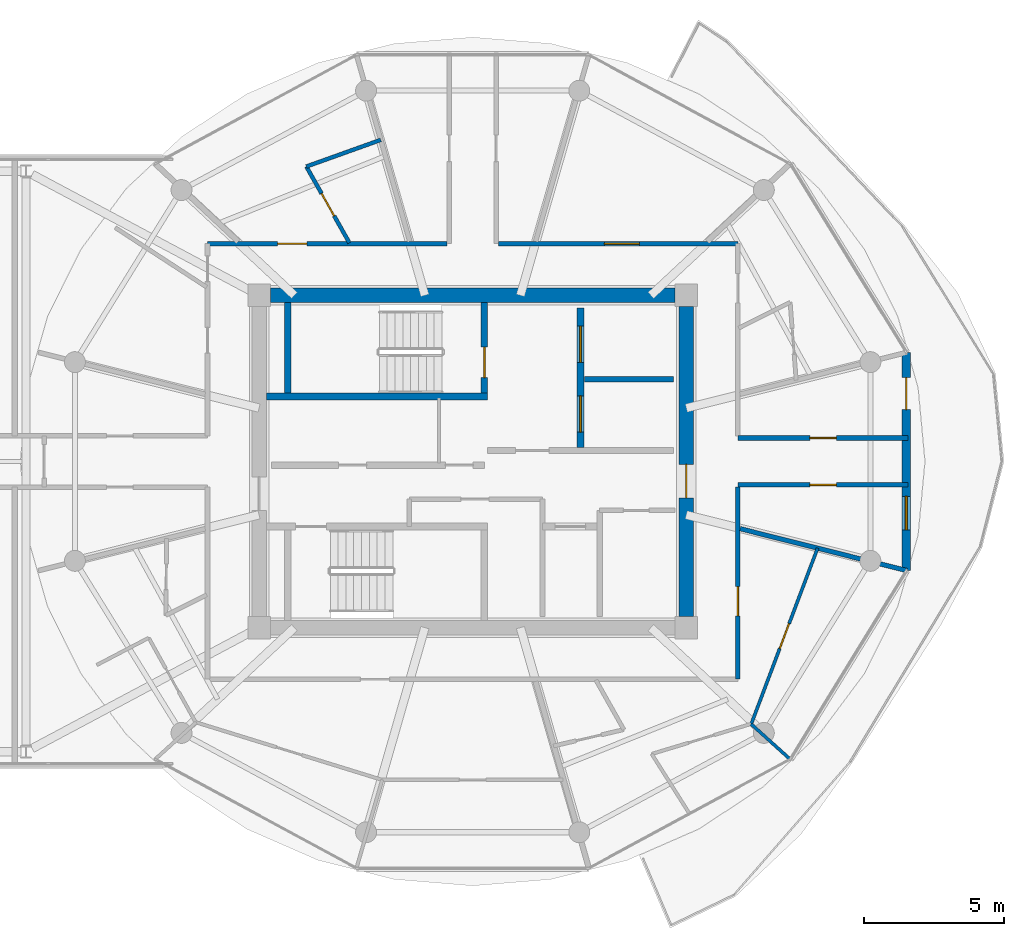
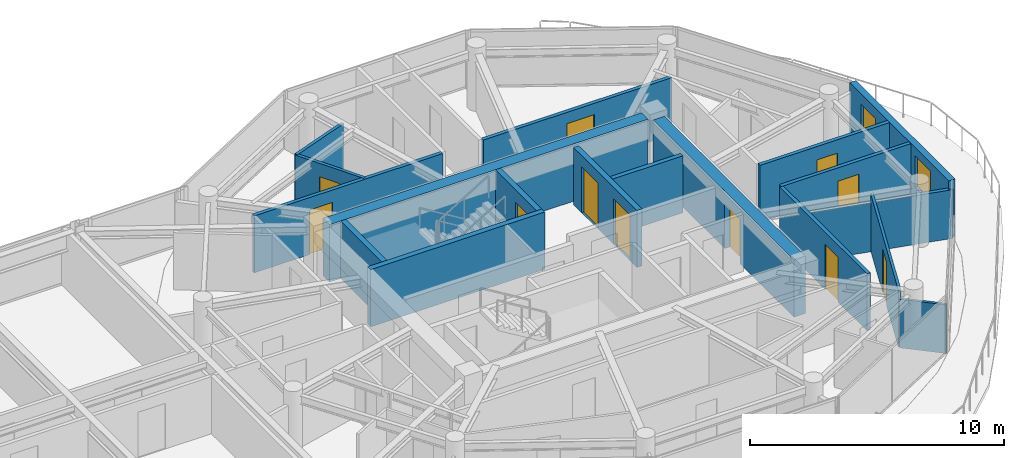
# One storey, part 19 of 24: 18 walls, 12 doors, 1 window, 13 openings.
"""IFC4 building model written with IfcOpenShell, lengths in metres."""

from ifc_helpers import new_model, si_unit, direction, frame, frame_2d, origin, place, context, subcontext, project, spatial, rectangle, extrude, source, transform, mapped, material, layer, layer_set, type_object, type_shapes, element, fill, save


model = new_model("IFC4")

# Units and contexts
model_context = context("Model", 3, precision=1e-05, world=origin(), true_north=direction((0.0, 1.0)))
body_context = subcontext(model_context, "Body", "Model", "MODEL_VIEW")
ifc_project = project(units=[si_unit("LENGTHUNIT", "METRE"), si_unit("AREAUNIT", "SQUARE_METRE"), si_unit("VOLUMEUNIT", "CUBIC_METRE"), si_unit("PLANEANGLEUNIT", "RADIAN"), si_unit("MASSUNIT", "GRAM", prefix="KILO")], contexts=[model_context])

# Site, building, storey
site_placement = place(None, origin())
site = spatial("IfcSite", under=ifc_project, at=site_placement, CompositionType="ELEMENT")
building_placement = place(site_placement, origin())
building = spatial("IfcBuilding", under=site, at=building_placement, Name="Norrkilde Senior Care Towers", CompositionType="ELEMENT")
storey_placement = place(building_placement, frame((0.0, 0.0, 213.89990234375)))
storey = spatial("IfcBuildingStorey", under=building, at=storey_placement, Name="L66", CompositionType="ELEMENT", Elevation=213.89990234375)

# Wall
ifc_material_1 = material(Name="Concrete C50/60", Category="concrete")
ifc_layer_1 = layer(ifc_material_1, 0.52001953125)
ifc_layer_set_1 = layer_set([ifc_layer_1], Name="Concrete C50/60")
wall_type_1 = type_object("IfcWallType", Name="Core Shear Wall Z4 520", PredefinedType="SHEAR", material=ifc_layer_set_1)
shared_shape_1 = source(origin(), body_context, "Body", "SweptSolid", [
    extrude(rectangle(XDim=14.5, YDim=0.52001953125, at=frame_2d((7.25, 0.0))), origin(), (0.0, 0.0, 1.0), 2.760009765625),
])
wall_1_placement = place(storey_placement, frame((20.75, 5.949951171875, 0.0), z_axis=(0.0, 0.0, 1.0), x_axis=(1.0, 0.0, 0.0)))
element("IfcWall", 1, at=wall_1_placement, inside=storey, type_object=wall_type_1, Name="L66 Core E North Shear Wall", PredefinedType="SHEAR", context=body_context, shape_type="MappedRepresentation", body=[
    mapped(shared_shape_1, transform((0.0, 0.0, 0.0), x_axis=(1.0, 0.0, 0.0), y_axis=(0.0, 1.0, 0.0), z_axis=(0.0, 0.0, 1.0), scale=1.0)),
])

# Wall, opening, door
shared_shape_2 = source(origin(), body_context, "Body", "SweptSolid", [
    extrude(rectangle(XDim=11.10009765625, YDim=0.52001953125, at=frame_2d((5.550048828125, 0.0))), origin(), (0.0, 0.0, 1.0), 2.760009765625),
])
type_shapes(wall_type_1, [shared_shape_1, shared_shape_2])
wall_2_placement = place(storey_placement, frame((35.64990234375, 5.550048828125, 0.0), z_axis=(0.0, 0.0, 1.0), x_axis=(0.0, -1.0, 0.0)))
wall_2 = element("IfcWall", 2, at=wall_2_placement, inside=storey, type_object=wall_type_1, Name="L66 Core E East Shear Wall", PredefinedType="SHEAR", context=body_context, shape_type="MappedRepresentation", body=[
    mapped(shared_shape_2, transform((0.0, 0.0, 0.0), x_axis=(1.0, 0.0, 0.0), y_axis=(0.0, 1.0, 0.0), z_axis=(0.0, 0.0, 1.0), scale=1.0)),
])
opening_1_placement = place(wall_2_placement, frame((5.64990234375, 0.0, 0.0)))
opening_1 = element("IfcOpeningElement", 3, at=opening_1_placement, cuts=wall_2, Name="Opening D-04", PredefinedType="OPENING", context=body_context, shape_type="SweptSolid", body=[
    extrude(rectangle(XDim=1.199951171875, YDim=2.14990234375, at=frame_2d((0.60009765625, 1.074951171875))), frame((0.0, 0.27001953125, 0.0), z_axis=(0.0, -1.0, 0.0), x_axis=(1.0, 0.0, 0.0)), (0.0, 0.0, 1.0), 0.5400390625),
])
ifc_material_2 = material(Name="Galvanised Painted Steel", Category="steel")
door_type_1 = type_object("IfcDoorType", Name="Firefighting Lobby Fire Door 1200x2150", OperationType="NOTDEFINED", PredefinedType="DOOR", material=ifc_material_2)
shared_shape_3 = source(origin(), body_context, "Body", "SweptSolid", [
    extrude(rectangle(XDim=1.199951171875, YDim=2.14990234375, at=frame_2d((0.60009765625, 1.074951171875))), frame((0.0, 0.02490234375, 0.0), z_axis=(0.0, -1.0, 0.0), x_axis=(1.0, 0.0, 0.0)), (0.0, 0.0, 1.0), 0.050048828125),
])
type_shapes(door_type_1, [shared_shape_3])
door_1_placement = place(opening_1_placement, frame((1.199951171875, 0.0, 0.0), z_axis=(0.0, 0.0, 1.0), x_axis=(-1.0, 0.0, 0.0)))
door_1 = element("IfcDoor", 4, at=door_1_placement, inside=storey, type_object=door_type_1, Name="L66 Core E East Portal Door", OperationType="SINGLE_SWING_RIGHT", OverallHeight=2.14990234375, OverallWidth=1.199951171875, PredefinedType="DOOR", context=body_context, shape_type="MappedRepresentation", body=[
    mapped(shared_shape_3, transform((0.0, 0.0, 0.0), x_axis=(1.0, 0.0, 0.0), y_axis=(0.0, 1.0, 0.0), z_axis=(0.0, 0.0, 1.0), scale=1.0)),
])
fill(opening_1, door_1)

# Wall, openings, door, window
ifc_material_3 = material(Name="Precast concrete C45/55", Category="concrete")
ifc_layer_2 = layer(ifc_material_3, 0.2900390625)
ifc_layer_set_2 = layer_set([ifc_layer_2], Name="Precast concrete C45/55")
wall_type_2 = type_object("IfcWallType", Name="Winter Garden Facade Wall 290", PredefinedType="SOLIDWALL", material=ifc_layer_set_2)
shared_shape_4 = source(origin(), body_context, "Body", "SweptSolid", [
    extrude(rectangle(XDim=7.80615234375, YDim=0.2900390625, at=frame_2d((3.903076171875, 0.0))), origin(), (0.0, 0.0, 1.0), 2.760009765625),
])
type_shapes(wall_type_2, [shared_shape_4])
wall_3_placement = place(storey_placement, frame((43.531982421875, 3.903076171875, 0.0), z_axis=(0.0, 0.0, 1.0), x_axis=(0.0, -1.0, 0.0)))
wall_3 = element("IfcWall", 5, at=wall_3_placement, inside=storey, type_object=wall_type_2, Name="L66 Drum E Balcony Access Wall 11", PredefinedType="SOLIDWALL", context=body_context, shape_type="MappedRepresentation", body=[
    mapped(shared_shape_4, transform((0.0, 0.0, 0.0), x_axis=(1.0, 0.0, 0.0), y_axis=(0.0, 1.0, 0.0), z_axis=(0.0, 0.0, 1.0), scale=1.0)),
])
opening_2_placement = place(wall_3_placement, frame((0.89990234375, 0.0, 0.0)))
opening_2 = element("IfcOpeningElement", 6, at=opening_2_placement, cuts=wall_3, Name="Opening D-09", PredefinedType="OPENING", context=body_context, shape_type="SweptSolid", body=[
    extrude(rectangle(XDim=1.14990234375, YDim=2.25, at=frame_2d((0.574951171875, 1.125))), frame((0.0, 0.155029296875, 0.0), z_axis=(0.0, -1.0, 0.0), x_axis=(1.0, 0.0, 0.0)), (0.0, 0.0, 1.0), 0.31005859375),
])
opening_3_placement = place(wall_3_placement, frame((5.153076171875, 0.0, 0.85009765625)))
opening_3 = element("IfcOpeningElement", 7, at=opening_3_placement, cuts=wall_3, Name="Opening WN-07", PredefinedType="OPENING", context=body_context, shape_type="SweptSolid", body=[
    extrude(rectangle(XDim=1.199951171875, YDim=1.5, at=frame_2d((0.60009765625, 0.75))), frame((0.0, 0.155029296875, 0.0), z_axis=(0.0, -1.0, 0.0), x_axis=(1.0, 0.0, 0.0)), (0.0, 0.0, 1.0), 0.31005859375),
])
ifc_material_4 = material(Name="Anodised Aluminium", Category="aluminium")
door_type_2 = type_object("IfcDoorType", Name="Terrace and Balcony Glazed Door 1150x2250", OperationType="NOTDEFINED", PredefinedType="DOOR", material=ifc_material_4)
shared_shape_5 = source(origin(), body_context, "Body", "SweptSolid", [
    extrude(rectangle(XDim=1.14990234375, YDim=2.25, at=frame_2d((0.574951171875, 1.125))), frame((0.0, 0.02490234375, 0.0), z_axis=(0.0, -1.0, 0.0), x_axis=(1.0, 0.0, 0.0)), (0.0, 0.0, 1.0), 0.050048828125),
])
type_shapes(door_type_2, [shared_shape_5])
door_2_placement = place(opening_2_placement, origin())
door_2 = element("IfcDoor", 8, at=door_2_placement, inside=storey, type_object=door_type_2, Name="L66 Drum E Outdoor Terrace Door 11", OperationType="SINGLE_SWING_RIGHT", OverallHeight=2.25, OverallWidth=1.14990234375, PredefinedType="DOOR", context=body_context, shape_type="MappedRepresentation", body=[
    mapped(shared_shape_5, transform((0.0, 0.0, 0.0), x_axis=(1.0, 0.0, 0.0), y_axis=(0.0, 1.0, 0.0), z_axis=(0.0, 0.0, 1.0), scale=1.0)),
])
fill(opening_2, door_2)
ifc_material_5 = material(Name="Triple Low-E Insulated Glazing", Category="glass")
window_type = type_object("IfcWindowType", Name="Stairwell Smoke Vent Window 1200x1500", PartitioningType="SINGLE_PANEL", PredefinedType="WINDOW", material=ifc_material_5)
shared_shape_6 = source(origin(), body_context, "Body", "SweptSolid", [
    extrude(rectangle(XDim=1.199951171875, YDim=1.5, at=frame_2d((0.60009765625, 0.75))), frame((0.0, 0.030029296875, 0.0), z_axis=(0.0, -1.0, 0.0), x_axis=(1.0, 0.0, 0.0)), (0.0, 0.0, 1.0), 0.06005859375),
])
type_shapes(window_type, [shared_shape_6])
window_placement = place(opening_3_placement, origin())
window = element("IfcWindow", 9, at=window_placement, inside=storey, type_object=window_type, Name="L66 Drum E Winter Garden Window 11", OverallHeight=1.5, OverallWidth=1.199951171875, PartitioningType="SINGLE_PANEL", PredefinedType="WINDOW", context=body_context, shape_type="MappedRepresentation", body=[
    mapped(shared_shape_6, transform((0.0, 0.0, 0.0), x_axis=(1.0, 0.0, 0.0), y_axis=(0.0, 1.0, 0.0), z_axis=(0.0, 0.0, 1.0), scale=1.0)),
])
fill(opening_3, window)

# Walls
ifc_material_6 = material(Name="Concrete C45/55", Category="concrete")
ifc_layer_3 = layer(ifc_material_6, 0.239990234375)
ifc_layer_set_3 = layer_set([ifc_layer_3], Name="Concrete C45/55")
wall_type_3 = type_object("IfcWallType", Name="Shaft and Stair Enclosure Wall 240", PredefinedType="PARTITIONING", material=ifc_layer_set_3)
shared_shape_7 = source(origin(), body_context, "Body", "SweptSolid", [
    extrude(rectangle(XDim=7.929931640625, YDim=0.239990234375, at=frame_2d((3.96484375, 0.0))), origin(), (0.0, 0.0, 1.0), 2.760009765625),
])
wall_4_placement = place(storey_placement, frame((20.610107421875, 2.330078125, 0.0), z_axis=(0.0, 0.0, 1.0), x_axis=(1.0, 0.0, 0.0)))
element("IfcWall", 10, at=wall_4_placement, inside=storey, type_object=wall_type_3, Name="WL-INT-L66-E-ST1S", PredefinedType="PARTITIONING", context=body_context, shape_type="MappedRepresentation", body=[
    mapped(shared_shape_7, transform((0.0, 0.0, 0.0), x_axis=(1.0, 0.0, 0.0), y_axis=(0.0, 1.0, 0.0), z_axis=(0.0, 0.0, 1.0), scale=1.0)),
])
shared_shape_8 = source(origin(), body_context, "Body", "SweptSolid", [
    extrude(rectangle(XDim=3.239990234375, YDim=0.239990234375, at=frame_2d((1.6201171875, 0.0))), origin(), (0.0, 0.0, 1.0), 2.760009765625),
])
type_shapes(wall_type_3, [shared_shape_7, shared_shape_8])
wall_5_placement = place(storey_placement, frame((21.3798828125, 2.449951171875, 0.0), z_axis=(0.0, 0.0, 1.0), x_axis=(0.0, 1.0, 0.0)))
element("IfcWall", 11, at=wall_5_placement, inside=storey, type_object=wall_type_3, Name="WL-INT-L66-E-ST1W", PredefinedType="PARTITIONING", context=body_context, shape_type="MappedRepresentation", body=[
    mapped(shared_shape_8, transform((0.0, 0.0, 0.0), x_axis=(1.0, 0.0, 0.0), y_axis=(0.0, 1.0, 0.0), z_axis=(0.0, 0.0, 1.0), scale=1.0)),
])

# Wall, opening, door
wall_6_placement = place(storey_placement, frame((28.419921875, 2.449951171875, 0.0), z_axis=(0.0, 0.0, 1.0), x_axis=(0.0, 1.0, 0.0)))
wall_6 = element("IfcWall", 12, at=wall_6_placement, inside=storey, type_object=wall_type_3, Name="WL-INT-L66-E-ST1E", PredefinedType="PARTITIONING", context=body_context, shape_type="MappedRepresentation", body=[
    mapped(shared_shape_8, transform((0.0, 0.0, 0.0), x_axis=(1.0, 0.0, 0.0), y_axis=(0.0, 1.0, 0.0), z_axis=(0.0, 0.0, 1.0), scale=1.0)),
])
opening_4_placement = place(wall_6_placement, frame((0.550048828125, 0.0, 0.0)))
opening_4 = element("IfcOpeningElement", 13, at=opening_4_placement, cuts=wall_6, Name="Opening D-03", PredefinedType="OPENING", context=body_context, shape_type="SweptSolid", body=[
    extrude(rectangle(XDim=1.10009765625, YDim=2.14990234375, at=frame_2d((0.550048828125, 1.074951171875))), frame((0.0, 0.1298828125, 0.0), z_axis=(0.0, -1.0, 0.0), x_axis=(1.0, 0.0, 0.0)), (0.0, 0.0, 1.0), 0.260009765625),
])
door_type_3 = type_object("IfcDoorType", Name="Stairwell Protected Fire Door 1100x2150", OperationType="NOTDEFINED", PredefinedType="DOOR", material=ifc_material_2)
shared_shape_9 = source(origin(), body_context, "Body", "SweptSolid", [
    extrude(rectangle(XDim=1.10009765625, YDim=2.14990234375, at=frame_2d((0.550048828125, 1.074951171875))), frame((0.0, 0.02490234375, 0.0), z_axis=(0.0, -1.0, 0.0), x_axis=(1.0, 0.0, 0.0)), (0.0, 0.0, 1.0), 0.050048828125),
])
type_shapes(door_type_3, [shared_shape_9])
door_3_placement = place(opening_4_placement, origin())
door_3 = element("IfcDoor", 14, at=door_3_placement, inside=storey, type_object=door_type_3, Name="L66 Stair E1 Fire Door", OperationType="SINGLE_SWING_LEFT", OverallHeight=2.14990234375, OverallWidth=1.10009765625, PredefinedType="DOOR", context=body_context, shape_type="MappedRepresentation", body=[
    mapped(shared_shape_9, transform((0.0, 0.0, 0.0), x_axis=(1.0, 0.0, 0.0), y_axis=(0.0, 1.0, 0.0), z_axis=(0.0, 0.0, 1.0), scale=1.0)),
])
fill(opening_4, door_3)

# Wall, openings, doors
ifc_layer_4 = layer(ifc_material_6, 0.239990234375)
ifc_layer_set_4 = layer_set([ifc_layer_4], Name="Concrete C45/55")
wall_type_4 = type_object("IfcWallType", Name="Lift and Plant Rated Enclosure Partition 240", PredefinedType="PARTITIONING", material=ifc_layer_set_4)
shared_shape_10 = source(origin(), body_context, "Body", "SweptSolid", [
    extrude(rectangle(XDim=5.0, YDim=0.239990234375, at=frame_2d((2.5, 0.0))), origin(), (0.0, 0.0, 1.0), 2.7451171875),
])
type_shapes(wall_type_4, [shared_shape_10])
wall_7_placement = place(storey_placement, frame((31.860107421875, 0.5, 0.0), z_axis=(0.0, 0.0, 1.0), x_axis=(0.0, 1.0, 0.0)))
wall_7 = element("IfcWall", 15, at=wall_7_placement, inside=storey, type_object=wall_type_4, Name="WL-INT-L66-E-FFLE", PredefinedType="PARTITIONING", context=body_context, shape_type="MappedRepresentation", body=[
    mapped(shared_shape_10, transform((0.0, 0.0, 0.0), x_axis=(1.0, 0.0, 0.0), y_axis=(0.0, 1.0, 0.0), z_axis=(0.0, 0.0, 1.0), scale=1.0)),
])
opening_5_placement = place(wall_7_placement, frame((3.050048828125, 0.0, 0.0)))
opening_5 = element("IfcOpeningElement", 16, at=opening_5_placement, cuts=wall_7, Name="Opening LD-02", PredefinedType="OPENING", context=body_context, shape_type="SweptSolid", body=[
    extrude(rectangle(XDim=1.300048828125, YDim=2.199951171875, at=frame_2d((0.64990234375, 1.10009765625))), frame((0.0, 0.1298828125, 0.0), z_axis=(0.0, -1.0, 0.0), x_axis=(1.0, 0.0, 0.0)), (0.0, 0.0, 1.0), 0.260009765625),
])
opening_6_placement = place(wall_7_placement, frame((0.550048828125, 0.0, 0.0)))
opening_6 = element("IfcOpeningElement", 17, at=opening_6_placement, cuts=wall_7, Name="Opening LD-02", PredefinedType="OPENING", context=body_context, shape_type="SweptSolid", body=[
    extrude(rectangle(XDim=1.300048828125, YDim=2.199951171875, at=frame_2d((0.64990234375, 1.10009765625))), frame((0.0, 0.1298828125, 0.0), z_axis=(0.0, -1.0, 0.0), x_axis=(1.0, 0.0, 0.0)), (0.0, 0.0, 1.0), 0.260009765625),
])
ifc_material_7 = material(Name="Stainless Steel", Category="steel")
door_type_4 = type_object("IfcDoorType", Name="Stretcher and FFL Landing Sliding Door 1300x2200", OperationType="NOTDEFINED", PredefinedType="DOOR", material=ifc_material_7)
shared_shape_11 = source(origin(), body_context, "Body", "SweptSolid", [
    extrude(rectangle(XDim=1.300048828125, YDim=2.199951171875, at=frame_2d((0.64990234375, 1.10009765625))), frame((0.0, 0.02490234375, 0.0), z_axis=(0.0, -1.0, 0.0), x_axis=(1.0, 0.0, 0.0)), (0.0, 0.0, 1.0), 0.050048828125),
])
type_shapes(door_type_4, [shared_shape_11])
door_4_placement = place(opening_5_placement, origin())
door_4 = element("IfcDoor", 18, at=door_4_placement, inside=storey, type_object=door_type_4, Name="L66 Firefighting Lift E1 Landing Door", OperationType="SLIDING_TO_LEFT", OverallHeight=2.199951171875, OverallWidth=1.300048828125, PredefinedType="DOOR", context=body_context, shape_type="MappedRepresentation", body=[
    mapped(shared_shape_11, transform((0.0, 0.0, 0.0), x_axis=(1.0, 0.0, 0.0), y_axis=(0.0, 1.0, 0.0), z_axis=(0.0, 0.0, 1.0), scale=1.0)),
])
fill(opening_5, door_4)
door_5_placement = place(opening_6_placement, origin())
door_5 = element("IfcDoor", 19, at=door_5_placement, inside=storey, type_object=door_type_4, Name="L66 Stretcher Lift E1 Landing Door", OperationType="SLIDING_TO_RIGHT", OverallHeight=2.199951171875, OverallWidth=1.300048828125, PredefinedType="DOOR", context=body_context, shape_type="MappedRepresentation", body=[
    mapped(shared_shape_11, transform((0.0, 0.0, 0.0), x_axis=(1.0, 0.0, 0.0), y_axis=(0.0, 1.0, 0.0), z_axis=(0.0, 0.0, 1.0), scale=1.0)),
])
fill(opening_6, door_5)

# Wall
ifc_layer_5 = layer(ifc_material_6, 0.199951171875)
ifc_layer_set_5 = layer_set([ifc_layer_5], Name="Concrete C45/55")
wall_type_5 = type_object("IfcWallType", Name="Shaft Division and Plant Partition 200", PredefinedType="PARTITIONING", material=ifc_layer_set_5)
shared_shape_12 = source(origin(), body_context, "Body", "SweptSolid", [
    extrude(rectangle(XDim=3.199951171875, YDim=0.199951171875, at=frame_2d((1.60009765625, 0.0))), origin(), (0.0, 0.0, 1.0), 2.7451171875),
])
type_shapes(wall_type_5, [shared_shape_12])
wall_8_placement = place(storey_placement, frame((32.0, 2.949951171875, 0.0), z_axis=(0.0, 0.0, 1.0), x_axis=(1.0, 0.0, 0.0)))
element("IfcWall", 20, at=wall_8_placement, inside=storey, type_object=wall_type_5, Name="WL-INT-L66-E-FFLDIV", PredefinedType="PARTITIONING", context=body_context, shape_type="MappedRepresentation", body=[
    mapped(shared_shape_12, transform((0.0, 0.0, 0.0), x_axis=(1.0, 0.0, 0.0), y_axis=(0.0, 1.0, 0.0), z_axis=(0.0, 0.0, 1.0), scale=1.0)),
])

# Wall, opening, door
ifc_material_8 = material(Name="Gypsum Acoustic Board")
ifc_layer_6 = layer(ifc_material_8, 0.1650390625)
ifc_layer_set_6 = layer_set([ifc_layer_6], Name="Gypsum Acoustic Board")
wall_type_6 = type_object("IfcWallType", Name="Corridor Rated Partition 165", PredefinedType="PARTITIONING", material=ifc_layer_set_6)
shared_shape_13 = source(origin(), body_context, "Body", "SweptSolid", [
    extrude(rectangle(XDim=8.580078125, YDim=0.1650390625, at=frame_2d((4.2900390625, 0.0))), origin(), (0.0, 0.0, 1.0), 2.7451171875),
])
wall_9_placement = place(storey_placement, frame((18.5, 7.800048828125, 0.0), z_axis=(0.0, 0.0, 1.0), x_axis=(1.0, 0.0, 0.0)))
wall_9 = element("IfcWall", 21, at=wall_9_placement, inside=storey, type_object=wall_type_6, Name="WL-INT-L66-E-CRW-N-0", PredefinedType="PARTITIONING", context=body_context, shape_type="MappedRepresentation", body=[
    mapped(shared_shape_13, transform((0.0, 0.0, 0.0), x_axis=(1.0, 0.0, 0.0), y_axis=(0.0, 1.0, 0.0), z_axis=(0.0, 0.0, 1.0), scale=1.0)),
])
opening_7_placement = place(wall_9_placement, frame((2.5146484375, 0.0, 0.0)))
opening_7 = element("IfcOpeningElement", 22, at=opening_7_placement, cuts=wall_9, Name="Opening D-06", PredefinedType="OPENING", context=body_context, shape_type="SweptSolid", body=[
    extrude(rectangle(XDim=1.050048828125, YDim=2.14990234375, at=frame_2d((0.52490234375, 1.074951171875))), frame((0.0, 0.092529296875, 0.0), z_axis=(0.0, -1.0, 0.0), x_axis=(1.0, 0.0, 0.0)), (0.0, 0.0, 1.0), 0.18505859375),
])
ifc_material_9 = material(Name="Nordic Ash Timber", Category="wood")
door_type_5 = type_object("IfcDoorType", Name="Apartment Entrance Fire Door 1050x2150", OperationType="NOTDEFINED", PredefinedType="DOOR", material=ifc_material_9)
shared_shape_14 = source(origin(), body_context, "Body", "SweptSolid", [
    extrude(rectangle(XDim=1.050048828125, YDim=2.14990234375, at=frame_2d((0.52490234375, 1.074951171875))), frame((0.0, 0.02490234375, 0.0), z_axis=(0.0, -1.0, 0.0), x_axis=(1.0, 0.0, 0.0)), (0.0, 0.0, 1.0), 0.050048828125),
])
type_shapes(door_type_5, [shared_shape_14])
door_6_placement = place(opening_7_placement, frame((1.050048828125, 0.0, 0.0), z_axis=(0.0, 0.0, 1.0), x_axis=(-1.0, 0.0, 0.0)))
door_6 = element("IfcDoor", 23, at=door_6_placement, inside=storey, type_object=door_type_5, Name="L66 Studio 66C Entrance Door", OperationType="SINGLE_SWING_LEFT", OverallHeight=2.14990234375, OverallWidth=1.050048828125, PredefinedType="DOOR", context=body_context, shape_type="MappedRepresentation", body=[
    mapped(shared_shape_14, transform((0.0, 0.0, 0.0), x_axis=(1.0, 0.0, 0.0), y_axis=(0.0, 1.0, 0.0), z_axis=(0.0, 0.0, 1.0), scale=1.0)),
])
fill(opening_7, door_6)

wall_10_placement = place(storey_placement, frame((28.919921875, 7.800048828125, 0.0), z_axis=(0.0, 0.0, 1.0), x_axis=(1.0, 0.0, 0.0)))
wall_10 = element("IfcWall", 24, at=wall_10_placement, inside=storey, type_object=wall_type_6, Name="WL-INT-L66-E-CRW-N-1", PredefinedType="PARTITIONING", context=body_context, shape_type="MappedRepresentation", body=[
    mapped(shared_shape_13, transform((0.0, 0.0, 0.0), x_axis=(1.0, 0.0, 0.0), y_axis=(0.0, 1.0, 0.0), z_axis=(0.0, 0.0, 1.0), scale=1.0)),
])
opening_8_placement = place(wall_10_placement, frame((3.802490234375, 0.0, 0.0)))
opening_8 = element("IfcOpeningElement", 25, at=opening_8_placement, cuts=wall_10, Name="Opening D-05", PredefinedType="OPENING", context=body_context, shape_type="SweptSolid", body=[
    extrude(rectangle(XDim=1.25, YDim=2.199951171875, at=frame_2d((0.625, 1.10009765625))), frame((0.0, 0.092529296875, 0.0), z_axis=(0.0, -1.0, 0.0), x_axis=(1.0, 0.0, 0.0)), (0.0, 0.0, 1.0), 0.18505859375),
])
door_type_6 = type_object("IfcDoorType", Name="Care Bedroom Bariatric Door 1250x2200", OperationType="NOTDEFINED", PredefinedType="DOOR", material=ifc_material_9)
shared_shape_15 = source(origin(), body_context, "Body", "SweptSolid", [
    extrude(rectangle(XDim=1.25, YDim=2.199951171875, at=frame_2d((0.625, 1.10009765625))), frame((0.0, 0.02490234375, 0.0), z_axis=(0.0, -1.0, 0.0), x_axis=(1.0, 0.0, 0.0)), (0.0, 0.0, 1.0), 0.050048828125),
])
type_shapes(door_type_6, [shared_shape_15])
door_7_placement = place(opening_8_placement, frame((1.25, 0.0, 0.0), z_axis=(0.0, 0.0, 1.0), x_axis=(-1.0, 0.0, 0.0)))
door_7 = element("IfcDoor", 26, at=door_7_placement, inside=storey, type_object=door_type_6, Name="L66 Senior Wellness Library Lounge Door", OperationType="SINGLE_SWING_RIGHT", OverallHeight=2.199951171875, OverallWidth=1.25, PredefinedType="DOOR", context=body_context, shape_type="MappedRepresentation", body=[
    mapped(shared_shape_15, transform((0.0, 0.0, 0.0), x_axis=(1.0, 0.0, 0.0), y_axis=(0.0, 1.0, 0.0), z_axis=(0.0, 0.0, 1.0), scale=1.0)),
])
fill(opening_8, door_7)

shared_shape_16 = source(origin(), body_context, "Body", "SweptSolid", [
    extrude(rectangle(XDim=6.880126953125, YDim=0.1650390625, at=frame_2d((3.43994140625, 0.0))), origin(), (0.0, 0.0, 1.0), 2.7451171875),
])
wall_11_placement = place(storey_placement, frame((37.5, -0.919921875, 0.0), z_axis=(0.0, 0.0, 1.0), x_axis=(0.0, -1.0, 0.0)))
wall_11 = element("IfcWall", 27, at=wall_11_placement, inside=storey, type_object=wall_type_6, Name="WL-INT-L66-E-CRW-E-1", PredefinedType="PARTITIONING", context=body_context, shape_type="MappedRepresentation", body=[
    mapped(shared_shape_16, transform((0.0, 0.0, 0.0), x_axis=(1.0, 0.0, 0.0), y_axis=(0.0, 1.0, 0.0), z_axis=(0.0, 0.0, 1.0), scale=1.0)),
])
opening_9_placement = place(wall_11_placement, frame((3.564208984375, 0.0, 0.0)))
opening_9 = element("IfcOpeningElement", 28, at=opening_9_placement, cuts=wall_11, Name="Opening D-06", PredefinedType="OPENING", context=body_context, shape_type="SweptSolid", body=[
    extrude(rectangle(XDim=1.050048828125, YDim=2.14990234375, at=frame_2d((0.52490234375, 1.074951171875))), frame((0.0, 0.092529296875, 0.0), z_axis=(0.0, -1.0, 0.0), x_axis=(1.0, 0.0, 0.0)), (0.0, 0.0, 1.0), 0.18505859375),
])
door_8_placement = place(opening_9_placement, frame((1.050048828125, 0.0, 0.0), z_axis=(0.0, 0.0, 1.0), x_axis=(-1.0, 0.0, 0.0)))
door_8 = element("IfcDoor", 29, at=door_8_placement, inside=storey, type_object=door_type_5, Name="Apartment 66F Entrance Door", OperationType="SINGLE_SWING_RIGHT", OverallHeight=2.14990234375, OverallWidth=1.050048828125, PredefinedType="DOOR", context=body_context, shape_type="MappedRepresentation", body=[
    mapped(shared_shape_14, transform((0.0, 0.0, 0.0), x_axis=(1.0, 0.0, 0.0), y_axis=(0.0, 1.0, 0.0), z_axis=(0.0, 0.0, 1.0), scale=1.0)),
])
fill(opening_9, door_8)

shared_shape_17 = source(origin(), body_context, "Body", "SweptSolid", [
    extrude(rectangle(XDim=6.101318359375, YDim=0.1650390625, at=frame_2d((3.05078125, 0.0))), origin(), (0.0, 0.0, 1.0), 2.7451171875),
])
wall_12_placement = place(storey_placement, frame((37.5, 0.840087890625, 0.0), z_axis=(0.0, 0.0, 1.0), x_axis=(1.0, 0.0, 0.0)))
wall_12 = element("IfcWall", 30, at=wall_12_placement, inside=storey, type_object=wall_type_6, Name="WL-INT-L66-E-SPK-E1-0", PredefinedType="PARTITIONING", context=body_context, shape_type="MappedRepresentation", body=[
    mapped(shared_shape_17, transform((0.0, 0.0, 0.0), x_axis=(1.0, 0.0, 0.0), y_axis=(0.0, 1.0, 0.0), z_axis=(0.0, 0.0, 1.0), scale=1.0)),
])
opening_10_placement = place(wall_12_placement, frame((2.57568359375, 0.0, 0.0)))
opening_10 = element("IfcOpeningElement", 31, at=opening_10_placement, cuts=wall_12, Name="Opening D-07", PredefinedType="OPENING", context=body_context, shape_type="SweptSolid", body=[
    extrude(rectangle(XDim=0.949951171875, YDim=2.10009765625, at=frame_2d((0.47509765625, 1.050048828125))), frame((0.0, 0.092529296875, 0.0), z_axis=(0.0, -1.0, 0.0), x_axis=(1.0, 0.0, 0.0)), (0.0, 0.0, 1.0), 0.18505859375),
])
door_type_7 = type_object("IfcDoorType", Name="Internal Suite Bedroom Door 950x2100", OperationType="NOTDEFINED", PredefinedType="DOOR", material=ifc_material_9)
shared_shape_18 = source(origin(), body_context, "Body", "SweptSolid", [
    extrude(rectangle(XDim=0.949951171875, YDim=2.10009765625, at=frame_2d((0.47509765625, 1.050048828125))), frame((0.0, 0.02490234375, 0.0), z_axis=(0.0, -1.0, 0.0), x_axis=(1.0, 0.0, 0.0)), (0.0, 0.0, 1.0), 0.050048828125),
])
type_shapes(door_type_7, [shared_shape_18])
door_9_placement = place(opening_10_placement, frame((0.949951171875, 0.0, 0.0), z_axis=(0.0, 0.0, 1.0), x_axis=(-1.0, 0.0, 0.0)))
door_9 = element("IfcDoor", 32, at=door_9_placement, inside=storey, type_object=door_type_7, Name="L66 Sun Reading Lounge 6 Door", OperationType="SINGLE_SWING_LEFT", OverallHeight=2.10009765625, OverallWidth=0.949951171875, PredefinedType="DOOR", context=body_context, shape_type="MappedRepresentation", body=[
    mapped(shared_shape_18, transform((0.0, 0.0, 0.0), x_axis=(1.0, 0.0, 0.0), y_axis=(0.0, 1.0, 0.0), z_axis=(0.0, 0.0, 1.0), scale=1.0)),
])
fill(opening_10, door_9)

wall_13_placement = place(storey_placement, frame((43.601318359375, -0.840087890625, 0.0), z_axis=(0.0, 0.0, 1.0), x_axis=(-1.0, 0.0, 0.0)))
wall_13 = element("IfcWall", 33, at=wall_13_placement, inside=storey, type_object=wall_type_6, Name="WL-INT-L66-E-SPK-E2-0", PredefinedType="PARTITIONING", context=body_context, shape_type="MappedRepresentation", body=[
    mapped(shared_shape_17, transform((0.0, 0.0, 0.0), x_axis=(1.0, 0.0, 0.0), y_axis=(0.0, 1.0, 0.0), z_axis=(0.0, 0.0, 1.0), scale=1.0)),
])
opening_11_placement = place(wall_13_placement, frame((2.57568359375, 0.0, 0.0)))
opening_11 = element("IfcOpeningElement", 34, at=opening_11_placement, cuts=wall_13, Name="Opening D-07", PredefinedType="OPENING", context=body_context, shape_type="SweptSolid", body=[
    extrude(rectangle(XDim=0.949951171875, YDim=2.10009765625, at=frame_2d((0.47509765625, 1.050048828125))), frame((0.0, 0.092529296875, 0.0), z_axis=(0.0, -1.0, 0.0), x_axis=(1.0, 0.0, 0.0)), (0.0, 0.0, 1.0), 0.18505859375),
])
door_10_placement = place(opening_11_placement, frame((0.949951171875, 0.0, 0.0), z_axis=(0.0, 0.0, 1.0), x_axis=(-1.0, 0.0, 0.0)))
door_10 = element("IfcDoor", 35, at=door_10_placement, inside=storey, type_object=door_type_7, Name="L66 Sun Reading Lounge 5 Door", OperationType="SINGLE_SWING_RIGHT", OverallHeight=2.10009765625, OverallWidth=0.949951171875, PredefinedType="DOOR", context=body_context, shape_type="MappedRepresentation", body=[
    mapped(shared_shape_18, transform((0.0, 0.0, 0.0), x_axis=(1.0, 0.0, 0.0), y_axis=(0.0, 1.0, 0.0), z_axis=(0.0, 0.0, 1.0), scale=1.0)),
])
fill(opening_11, door_10)

ifc_layer_7 = layer(ifc_material_8, 0.139892578125)
ifc_layer_set_7 = layer_set([ifc_layer_7], Name="Gypsum Acoustic Board")
wall_type_7 = type_object("IfcWallType", Name="En-suite Wet Room Wall 140", PredefinedType="PARTITIONING", material=ifc_layer_set_7)
shared_shape_19 = source(origin(), body_context, "Body", "SweptSolid", [
    extrude(rectangle(XDim=3.14013671875, YDim=0.139892578125, at=frame_2d((1.570068359375, 0.0))), origin(), (0.0, 0.0, 1.0), 2.7451171875),
])
wall_14_placement = place(storey_placement, frame((23.5849609375, 7.830078125, 0.0), z_axis=(0.0, 0.0, 1.0), x_axis=(-0.491132137966, 0.871085083707, 0.0)))
wall_14 = element("IfcWall", 36, at=wall_14_placement, inside=storey, type_object=wall_type_7, Name="WL-INT-L66-E-ES-03", PredefinedType="PARTITIONING", context=body_context, shape_type="MappedRepresentation", body=[
    mapped(shared_shape_19, transform((0.0, 0.0, 0.0), x_axis=(1.0, 0.0, 0.0), y_axis=(0.0, 1.0, 0.0), z_axis=(0.0, 0.0, 1.0), scale=1.0)),
])
opening_12_placement = place(wall_14_placement, frame((1.110107421875, 0.0, 0.0)))
opening_12 = element("IfcOpeningElement", 37, at=opening_12_placement, cuts=wall_14, Name="Opening D-08", PredefinedType="OPENING", context=body_context, shape_type="SweptSolid", body=[
    extrude(rectangle(XDim=0.919921875, YDim=2.10009765625, at=frame_2d((0.4599609375, 1.050048828125))), frame((0.0, 0.079833984375, 0.0), z_axis=(0.0, -1.0, 0.0), x_axis=(1.0, 0.0, 0.0)), (0.0, 0.0, 1.0), 0.159912109375),
])
door_type_8 = type_object("IfcDoorType", Name="Accessible Wet Room Door 920x2100", OperationType="NOTDEFINED", PredefinedType="DOOR", material=ifc_material_9)
shared_shape_20 = source(origin(), body_context, "Body", "SweptSolid", [
    extrude(rectangle(XDim=0.919921875, YDim=2.10009765625, at=frame_2d((0.4599609375, 1.050048828125))), frame((0.0, 0.02490234375, 0.0), z_axis=(0.0, -1.0, 0.0), x_axis=(1.0, 0.0, 0.0)), (0.0, 0.0, 1.0), 0.050048828125),
])
type_shapes(door_type_8, [shared_shape_20])
door_11_placement = place(opening_12_placement, origin())
door_11 = element("IfcDoor", 38, at=door_11_placement, inside=storey, type_object=door_type_8, Name="L66 Studio 66C Bathroom Door", OperationType="SINGLE_SWING_RIGHT", OverallHeight=2.10009765625, OverallWidth=0.919921875, PredefinedType="DOOR", context=body_context, shape_type="MappedRepresentation", body=[
    mapped(shared_shape_20, transform((0.0, 0.0, 0.0), x_axis=(1.0, 0.0, 0.0), y_axis=(0.0, 1.0, 0.0), z_axis=(0.0, 0.0, 1.0), scale=1.0)),
])
fill(opening_12, door_11)

# Walls
shared_shape_21 = source(origin(), body_context, "Body", "SweptSolid", [
    extrude(rectangle(XDim=2.8310546875, YDim=0.139892578125, at=frame_2d((1.41552734375, 0.0))), origin(), (0.0, 0.0, 1.0), 2.7451171875),
])
type_shapes(wall_type_7, [shared_shape_19, shared_shape_21])
wall_15_placement = place(storey_placement, frame((22.042724609375, 10.5654296875, 0.0), z_axis=(0.0, 0.0, 1.0), x_axis=(0.941411742535, 0.337259441701, 0.0)))
element("IfcWall", 39, at=wall_15_placement, inside=storey, type_object=wall_type_7, Name="WL-INT-L66-E-EF-03", PredefinedType="PARTITIONING", context=body_context, shape_type="MappedRepresentation", body=[
    mapped(shared_shape_21, transform((0.0, 0.0, 0.0), x_axis=(1.0, 0.0, 0.0), y_axis=(0.0, 1.0, 0.0), z_axis=(0.0, 0.0, 1.0), scale=1.0)),
])
shared_shape_22 = source(origin(), body_context, "Body", "SweptSolid", [
    extrude(rectangle(XDim=6.1572265625, YDim=0.1650390625, at=frame_2d((3.07861328125, 0.0))), origin(), (0.0, 0.0, 1.0), 2.34521484375),
])
type_shapes(wall_type_6, [shared_shape_13, shared_shape_16, shared_shape_17, shared_shape_22])
wall_16_placement = place(storey_placement, frame((37.580078125, -2.407470703125, 0.0), z_axis=(0.0, 0.0, 1.0), x_axis=(0.969840867184, -0.243738984038, 0.0)))
element("IfcWall", 40, at=wall_16_placement, inside=storey, type_object=wall_type_6, Name="WL-INT-L66-E-DEM-11-0", PredefinedType="PARTITIONING", context=body_context, shape_type="MappedRepresentation", body=[
    mapped(shared_shape_22, transform((0.0, 0.0, 0.0), x_axis=(1.0, 0.0, 0.0), y_axis=(0.0, 1.0, 0.0), z_axis=(0.0, 0.0, 1.0), scale=1.0)),
])

# Wall, opening, door
ifc_layer_8 = layer(ifc_material_8, 0.114990234375)
ifc_layer_set_8 = layer_set([ifc_layer_8], Name="Gypsum Acoustic Board")
wall_type_8 = type_object("IfcWallType", Name="Internal Room Partition 115", PredefinedType="PARTITIONING", material=ifc_layer_set_8)
shared_shape_23 = source(origin(), body_context, "Body", "SweptSolid", [
    extrude(rectangle(XDim=6.738037109375, YDim=0.114990234375, at=frame_2d((3.369140625, 0.0))), origin(), (0.0, 0.0, 1.0), 2.7451171875),
])
wall_17_placement = place(storey_placement, frame((37.977783203125, -9.408935546875, 0.0), z_axis=(0.0, 0.0, 1.0), x_axis=(0.352945344347, 0.935643940772, 0.0)))
wall_17 = element("IfcWall", 41, at=wall_17_placement, inside=storey, type_object=wall_type_8, Name="WL-INT-L66-E-UBC-09-1", PredefinedType="PARTITIONING", context=body_context, shape_type="MappedRepresentation", body=[
    mapped(shared_shape_23, transform((0.0, 0.0, 0.0), x_axis=(1.0, 0.0, 0.0), y_axis=(0.0, 1.0, 0.0), z_axis=(0.0, 0.0, 1.0), scale=1.0)),
])
opening_13_placement = place(wall_17_placement, frame((2.89404296875, 0.0, 0.0)))
opening_13 = element("IfcOpeningElement", 42, at=opening_13_placement, cuts=wall_17, Name="Opening D-07", PredefinedType="OPENING", context=body_context, shape_type="SweptSolid", body=[
    extrude(rectangle(XDim=0.949951171875, YDim=2.10009765625, at=frame_2d((0.47509765625, 1.050048828125))), frame((0.0, 0.0673828125, 0.0), z_axis=(0.0, -1.0, 0.0), x_axis=(1.0, 0.0, 0.0)), (0.0, 0.0, 1.0), 0.135009765625),
])
door_12_placement = place(opening_13_placement, origin())
door_12 = element("IfcDoor", 43, at=door_12_placement, inside=storey, type_object=door_type_7, Name="Apartment 66F Bedroom 1 Door", OperationType="SINGLE_SWING_LEFT", OverallHeight=2.10009765625, OverallWidth=0.949951171875, PredefinedType="DOOR", context=body_context, shape_type="MappedRepresentation", body=[
    mapped(shared_shape_18, transform((0.0, 0.0, 0.0), x_axis=(1.0, 0.0, 0.0), y_axis=(0.0, 1.0, 0.0), z_axis=(0.0, 0.0, 1.0), scale=1.0)),
])
fill(opening_13, door_12)

# Wall
shared_shape_24 = source(origin(), body_context, "Body", "SweptSolid", [
    extrude(rectangle(XDim=1.89404296875, YDim=0.114990234375, at=frame_2d((0.947021484375, 0.0))), origin(), (0.0, 0.0, 1.0), 2.34521484375),
])
type_shapes(wall_type_8, [shared_shape_23, shared_shape_24])
wall_18_placement = place(storey_placement, frame((37.977783203125, -9.408935546875, 0.0), z_axis=(0.0, 0.0, 1.0), x_axis=(0.742704207382, -0.669619638554, 0.0)))
element("IfcWall", 44, at=wall_18_placement, inside=storey, type_object=wall_type_8, Name="WL-INT-L66-E-UBR-09-1", PredefinedType="PARTITIONING", context=body_context, shape_type="MappedRepresentation", body=[
    mapped(shared_shape_24, transform((0.0, 0.0, 0.0), x_axis=(1.0, 0.0, 0.0), y_axis=(0.0, 1.0, 0.0), z_axis=(0.0, 0.0, 1.0), scale=1.0)),
])

save(model, "model.ifc")
